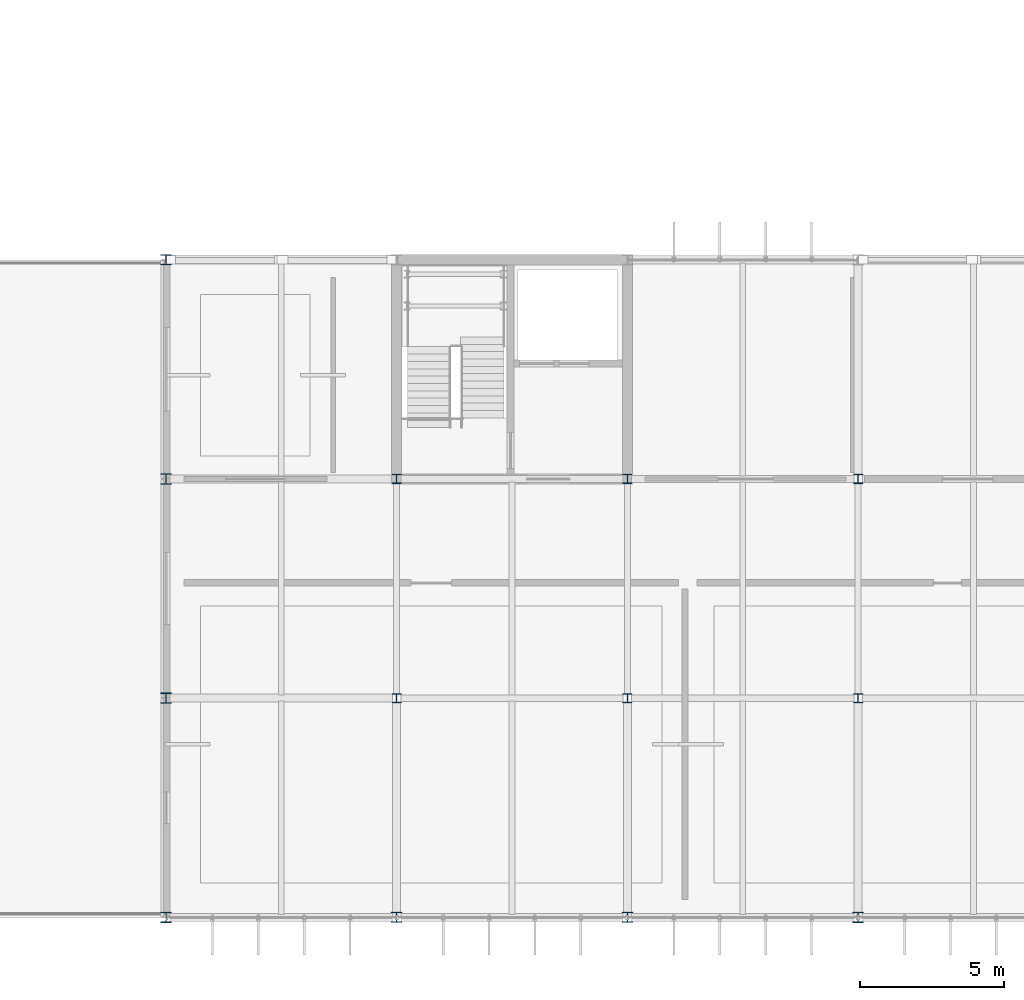
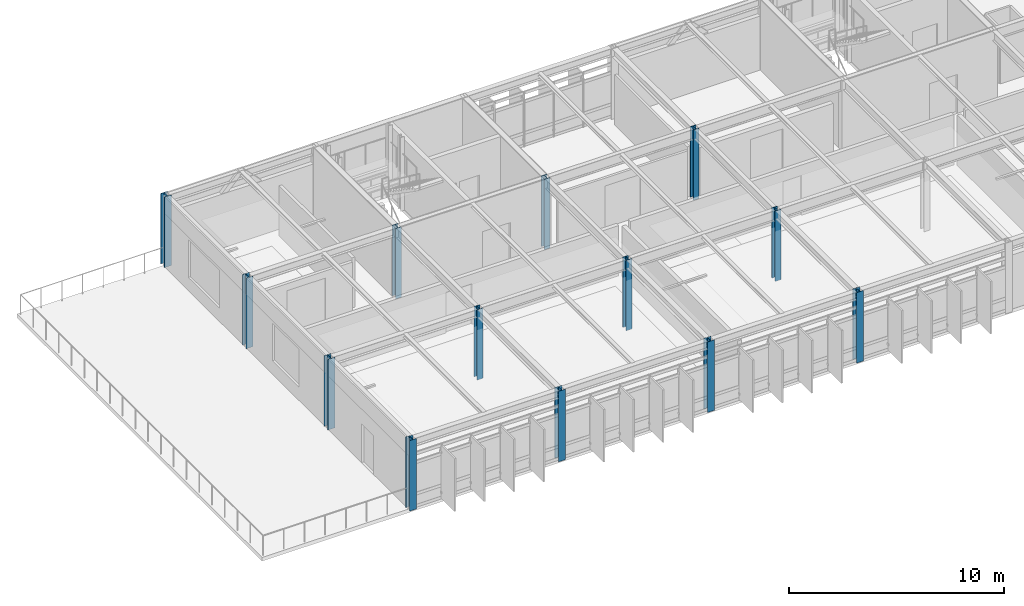
# One storey, part 1 of 45: 13 columns.
"""IFC4 building model written with IfcOpenShell, lengths in metres."""

import ifcopenshell
import ifcopenshell.guid

model = None  # the IFC model being written
_history = None  # IfcOwnerHistory: only IFC2X3 demands one
_inside = {}  # id of a spatial element -> (the spatial element, [elements in it])
_under = {}  # id of a project, library or spatial element -> (it, [spatial elements below it])
_declared = {}  # id of a project -> (the project, [libraries it declares])
_typed = {}  # id of a type object -> (the type object, [elements of that type])
_made_of = {}  # id of a material, layer set ... -> (it, [elements and type objects made of it])


def new_model(schema):
    """Start an empty IFC model of exactly this schema.

    Asked for "IFC4X3", IfcOpenShell would pick the latest addendum, in which some entities
    have other attributes; the version numbers below select the first issue.
    IFC2X3 requires an IfcOwnerHistory on every rooted entity: one is made here for all.
    """
    global model, _history
    if schema == "IFC4X3":
        model = ifcopenshell.file(schema_version=(4, 3, 0, 0))
    else:
        model = ifcopenshell.file(schema=schema)
    _inside.clear()
    _under.clear()
    _declared.clear()
    _typed.clear()
    _made_of.clear()
    _history = None
    if model.schema == "IFC2X3":
        org = make("IfcOrganization", Name="unknown")
        user = make(
            "IfcPersonAndOrganization",
            ThePerson=make("IfcPerson", FamilyName="unknown"),
            TheOrganization=org,
        )
        app = make(
            "IfcApplication",
            ApplicationDeveloper=org,
            Version="unknown",
            ApplicationFullName="unknown",
            ApplicationIdentifier="unknown",
        )
        _history = make(
            "IfcOwnerHistory",
            OwningUser=user,
            OwningApplication=app,
            ChangeAction="ADDED",
            CreationDate=0,
        )
    return model


def make(cls, **values):
    """One entity of the class cls with the attributes given. An attribute that is None is left unset."""
    return model.create_entity(
        cls, **{name: value for name, value in values.items() if value is not None}
    )


def rooted(cls, **values):
    """An entity with a GlobalId (a new one), such as an element, a storey or a relation."""
    return make(cls, GlobalId=ifcopenshell.guid.new(), OwnerHistory=_history, **values)


def si_unit(unit_type, name, prefix=None):
    """IfcSIUnit, for example si_unit("LENGTHUNIT", "METRE", prefix="MILLI")."""
    return make("IfcSIUnit", UnitType=unit_type, Prefix=prefix, Name=name)


def assignment(units):
    """IfcUnitAssignment: the units of a project."""
    return None if units is None else make("IfcUnitAssignment", Units=units)


def point(xyz):
    """IfcCartesianPoint."""
    return None if xyz is None else make("IfcCartesianPoint", Coordinates=xyz)


def direction(xyz):
    """IfcDirection."""
    return None if xyz is None else make("IfcDirection", DirectionRatios=xyz)


def frame(location, z_axis=None, x_axis=None):
    """IfcAxis2Placement3D, a coordinate frame: its origin and axes. An axis left out is left unset."""
    return make(
        "IfcAxis2Placement3D",
        Location=point(location),
        Axis=direction(z_axis),
        RefDirection=direction(x_axis),
    )


def frame_2d(location, x_axis=None):
    """IfcAxis2Placement2D, a coordinate frame in the plane: its origin and x axis."""
    return make(
        "IfcAxis2Placement2D", Location=point(location), RefDirection=direction(x_axis)
    )


def origin():
    """The frame at (0, 0, 0) with its axes left unset."""
    return frame((0.0, 0.0, 0.0))


def origin_2d():
    """The frame at (0, 0) in the plane with its x axis left unset."""
    return frame_2d((0.0, 0.0))


def place(relative_to, where):
    """IfcLocalPlacement: puts the frame where relative to a parent placement (None: the world)."""
    return make(
        "IfcLocalPlacement", PlacementRelTo=relative_to, RelativePlacement=where
    )


def context(
    kind, dimensions, precision=None, world=None, true_north=None, identifier=None
):
    """IfcGeometricRepresentationContext, for example the 3D "Model" context."""
    return make(
        "IfcGeometricRepresentationContext",
        ContextIdentifier=identifier,
        ContextType=kind,
        CoordinateSpaceDimension=dimensions,
        Precision=precision,
        WorldCoordinateSystem=world,
        TrueNorth=true_north,
    )


def subcontext(parent, identifier, kind, view, scale=None):
    """IfcGeometricRepresentationSubContext, for example "Body" below "Model"."""
    return make(
        "IfcGeometricRepresentationSubContext",
        ContextIdentifier=identifier,
        ContextType=kind,
        ParentContext=parent,
        TargetScale=scale,
        TargetView=view,
    )


def project(units=None, contexts=None):
    """IfcProject with its units and contexts."""
    return rooted(
        "IfcProject",
        Name="project",
        RepresentationContexts=contexts,
        UnitsInContext=assignment(units),
    )


def spatial(cls, under=None, at=None, **own):
    """A site, building, storey or space (cls), placed at a placement, below another one or the project."""
    s = rooted(cls, ObjectPlacement=at, **own)
    if under is not None:
        _under.setdefault(under.id(), (under, []))[1].append(s)
    return s


def profile(cls, at=None, kind="AREA", **sizes):
    """A parametric profile (cls). Its sizes go by their IFC names, for example OverallWidth=200.0."""
    return make(cls, ProfileType=kind, Position=at, **sizes)


def i_section(**sizes):
    """IfcIShapeProfileDef."""
    return profile("IfcIShapeProfileDef", **sizes)


def extrude(swept, where, along, depth):
    """IfcExtrudedAreaSolid: the profile swept, set in the frame where, extruded along a direction by depth."""
    return make(
        "IfcExtrudedAreaSolid",
        SweptArea=swept,
        Position=where,
        ExtrudedDirection=direction(along),
        Depth=depth,
    )


def shape(context_of_items, identifier, shape_type, items):
    """IfcShapeRepresentation: the items that make up one representation, for example the "Body"."""
    return make(
        "IfcShapeRepresentation",
        ContextOfItems=context_of_items,
        RepresentationIdentifier=identifier,
        RepresentationType=shape_type,
        Items=items,
    )


def material(Name=None, Category=None):
    """IfcMaterial."""
    return make("IfcMaterial", Name=Name, Category=Category)


def material_profile(
    of_material, cross_section, Name=None, Category=None, Priority=None
):
    """IfcMaterialProfile: a cross section and its material."""
    return make(
        "IfcMaterialProfile",
        Name=Name,
        Material=of_material,
        Profile=cross_section,
        Priority=Priority,
        Category=Category,
    )


def profile_set(profiles, Name=None, composite=None):
    """IfcMaterialProfileSet."""
    return make(
        "IfcMaterialProfileSet",
        Name=Name,
        MaterialProfiles=profiles,
        CompositeProfile=composite,
    )


def made_of(thing, what):
    """Note that an element or type object is made of a material, layer set ...; save() writes the relation."""
    if what is not None:
        _made_of.setdefault(what.id(), (what, []))[1].append(thing)
    return thing


def type_object(cls, material=None, **own):
    """A type object (cls), such as IfcWallType, which elements share."""
    return made_of(rooted(cls, **own), material)


def element(
    cls,
    number,
    at=None,
    inside=None,
    cuts=None,
    type_object=None,
    material=None,
    context=None,
    identifier="Body",
    shape_type=None,
    held_by="IfcProductDefinitionShape",
    body=None,
    shapes=None,
    **own,
):
    """One element of the class cls, such as IfcWall. Its Tag is "e" and its number.

    at: its placement. inside: the storey or other place that contains it. cuts: it is an
    opening in that element (IfcRelVoidsElement). A single representation is given by context,
    identifier, shape_type and body (its items); several are given by shapes. held_by: the class
    of the entity that holds the representations. save() writes the other relations.
    """
    e = rooted(cls, Tag="e%d" % number, ObjectPlacement=at, **own)
    if body is not None:
        shapes = [shape(context, identifier, shape_type, body)]
    if shapes is not None:
        e.Representation = make(held_by, Representations=shapes)
    if inside is not None:
        _inside.setdefault(inside.id(), (inside, []))[1].append(e)
    if cuts is not None:
        rooted(
            "IfcRelVoidsElement", RelatingBuildingElement=cuts, RelatedOpeningElement=e
        )
    if type_object is not None:
        _typed.setdefault(type_object.id(), (type_object, []))[1].append(e)
    return made_of(e, material)


def aggregate(whole, parts):
    """IfcRelAggregates: a whole, such as a stair, and the parts it consists of."""
    return rooted("IfcRelAggregates", RelatingObject=whole, RelatedObjects=parts)


def save(model, path):
    """Write the relations noted so far, then the file.

    IfcRelAggregates (storeys below a building ...), IfcRelContainedInSpatialStructure (elements
    in a storey), IfcRelDefinesByType, IfcRelAssociatesMaterial and IfcRelDeclares: one each for
    every whole, place, type object, material and project.
    """
    for whole, parts in _under.values():
        aggregate(whole, parts)
    for where, things in _inside.values():
        rooted(
            "IfcRelContainedInSpatialStructure",
            RelatedElements=things,
            RelatingStructure=where,
        )
    for kind, things in _typed.values():
        rooted("IfcRelDefinesByType", RelatedObjects=things, RelatingType=kind)
    for what, things in _made_of.values():
        rooted("IfcRelAssociatesMaterial", RelatedObjects=things, RelatingMaterial=what)
    for by, libraries in _declared.values():
        rooted("IfcRelDeclares", RelatingContext=by, RelatedDefinitions=libraries)
    model.write(path)


model = new_model("IFC4")

# Units and contexts
model_context = context("Model", 3, precision=1e-05, world=origin(), true_north=direction((0.0, 1.0)))
body_context = subcontext(model_context, "Body", "Model", "MODEL_VIEW")
ifc_project = project(units=[si_unit("LENGTHUNIT", "METRE"), si_unit("AREAUNIT", "SQUARE_METRE"), si_unit("VOLUMEUNIT", "CUBIC_METRE"), si_unit("PLANEANGLEUNIT", "RADIAN"), si_unit("MASSUNIT", "GRAM", prefix="KILO")], contexts=[model_context])

# Site, building, storey
site_placement = place(None, origin())
site = spatial("IfcSite", under=ifc_project, at=site_placement, CompositionType="ELEMENT")
building_placement = place(site_placement, origin())
building = spatial("IfcBuilding", under=site, at=building_placement, Name="Zulena Civic Courthouse", CompositionType="ELEMENT")
storey_placement = place(building_placement, frame((0.0, 0.0, 29.39990234375)))
storey = spatial("IfcBuildingStorey", under=building, at=storey_placement, Name="L06", CompositionType="ELEMENT", Elevation=29.39990234375)

# Columns
ifc_material = material(Name="Steel ASTM A992 Grade 50", Category="steel")
ifc_material_profile_1 = material_profile(ifc_material, i_section(OverallWidth=0.30908203125, OverallDepth=0.322998046875, WebThickness=0.013916015625, FlangeThickness=0.02294921875, FilletRadius=0.01513671875, at=origin_2d()), Name="W12X96")
ifc_profile_set_1 = profile_set([ifc_material_profile_1], Name="Steel ASTM A992 Grade 50")
column_type_1 = type_object("IfcColumnType", Name="Col_W12X96", PredefinedType="COLUMN", material=ifc_profile_set_1)
for number, where, z_axis, x_axis, name in (
    (1, (20.0, 7.60009765625, 0.0), (0.0, 0.0, 1.0), (1.0, 0.0, 0.0), "col:V2:L06:20.0:7.6"),
    (2, (20.0, 15.199951171875, 0.0), (0.0, 0.0, 1.0), (1.0, 0.0, 0.0), "col:V2:L06:20.0:15.2"),
    (3, (28.0, 7.60009765625, 0.0), (0.0, 0.0, 1.0), (1.0, 0.0, 0.0), "col:V2:L06:28.0:7.6"),
    (4, (28.0, 15.199951171875, 0.0), (0.0, 0.0, 1.0), (1.0, 0.0, 0.0), "col:V2:L06:28.0:15.2"),
    (5, (36.0, 7.60009765625, 0.0), (0.0, 0.0, 1.0), (1.0, 0.0, 0.0), "col:V2:L06:36.0:7.6"),
    (6, (36.0, 15.199951171875, 0.0), (0.0, 0.0, 1.0), (1.0, 0.0, 0.0), "col:V2:L06:36.0:15.2"),
):
    element("IfcColumn", number, at=place(storey_placement, frame(where, z_axis=z_axis, x_axis=x_axis)), inside=storey, type_object=column_type_1, Name=name, PredefinedType="COLUMN", context=body_context, shape_type="SweptSolid", body=[
        extrude(i_section(OverallWidth=0.30908203125, OverallDepth=0.322998046875, WebThickness=0.013916015625, FlangeThickness=0.02294921875, FilletRadius=0.01513671875, at=origin_2d()), origin(), (0.0, 0.0, 1.0), 4.0),
    ])
ifc_material_profile_2 = material_profile(ifc_material, i_section(OverallWidth=0.368896484375, OverallDepth=0.35595703125, WebThickness=0.01123046875, FlangeThickness=0.01806640625, FilletRadius=0.01513671875, at=origin_2d()), Name="W14X90")
ifc_profile_set_2 = profile_set([ifc_material_profile_2], Name="Steel ASTM A992 Grade 50")
column_type_2 = type_object("IfcColumnType", Name="Col_W14X90", PredefinedType="COLUMN", material=ifc_profile_set_2)
for number, where, z_axis, x_axis, name in (
    (7, (20.0, 0.0, 0.0), (0.0, 0.0, 1.0), (1.0, 0.0, 0.0), "col:V2:L06:20.0:0.0"),
    (8, (28.0, 0.0, 0.0), (0.0, 0.0, 1.0), (1.0, 0.0, 0.0), "col:V2:L06:28.0:0.0"),
):
    element("IfcColumn", number, at=place(storey_placement, frame(where, z_axis=z_axis, x_axis=x_axis)), inside=storey, type_object=column_type_2, Name=name, PredefinedType="COLUMN", context=body_context, shape_type="SweptSolid", body=[
        extrude(i_section(OverallWidth=0.368896484375, OverallDepth=0.35595703125, WebThickness=0.01123046875, FlangeThickness=0.01806640625, FilletRadius=0.01513671875, at=origin_2d()), origin(), (0.0, 0.0, 1.0), 4.0),
    ])
ifc_material_profile_3 = material_profile(ifc_material, i_section(OverallWidth=0.3701171875, OverallDepth=0.360107421875, WebThickness=0.01220703125, FlangeThickness=0.019775390625, FilletRadius=0.01513671875, at=origin_2d()), Name="W14X99")
ifc_profile_set_3 = profile_set([ifc_material_profile_3], Name="Steel ASTM A992 Grade 50")
column_type_3 = type_object("IfcColumnType", Name="Col_W14X99", PredefinedType="COLUMN", material=ifc_profile_set_3)
for number, where, z_axis, x_axis, name in (
    (9, (12.0, 0.0, 0.0), (0.0, 0.0, 1.0), (1.0, 0.0, 0.0), "col:V2:L06:12.0:0.0"),
    (10, (12.0, 7.60009765625, 0.0), (0.0, 0.0, 1.0), (1.0, 0.0, 0.0), "col:V2:L06:12.0:7.6"),
    (11, (12.0, 15.199951171875, 0.0), (0.0, 0.0, 1.0), (1.0, 0.0, 0.0), "col:V2:L06:12.0:15.2"),
    (12, (12.0, 22.800048828125, 0.0), (0.0, 0.0, 1.0), (1.0, 0.0, 0.0), "col:V2:L06:12.0:22.8"),
    (13, (36.0, 0.0, 0.0), (0.0, 0.0, 1.0), (1.0, 0.0, 0.0), "col:V2:L06:36.0:0.0"),
):
    element("IfcColumn", number, at=place(storey_placement, frame(where, z_axis=z_axis, x_axis=x_axis)), inside=storey, type_object=column_type_3, Name=name, PredefinedType="COLUMN", context=body_context, shape_type="SweptSolid", body=[
        extrude(i_section(OverallWidth=0.3701171875, OverallDepth=0.360107421875, WebThickness=0.01220703125, FlangeThickness=0.019775390625, FilletRadius=0.01513671875, at=origin_2d()), origin(), (0.0, 0.0, 1.0), 4.0),
    ])

save(model, "model.ifc")
